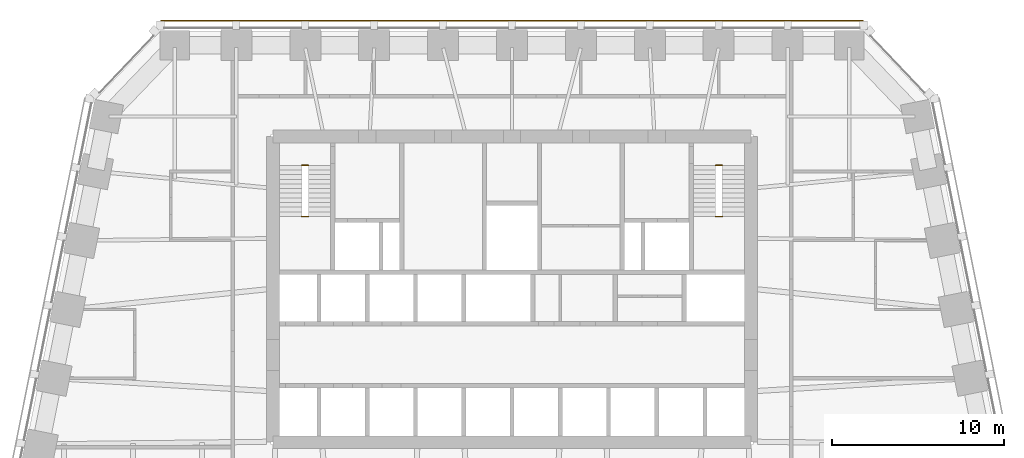
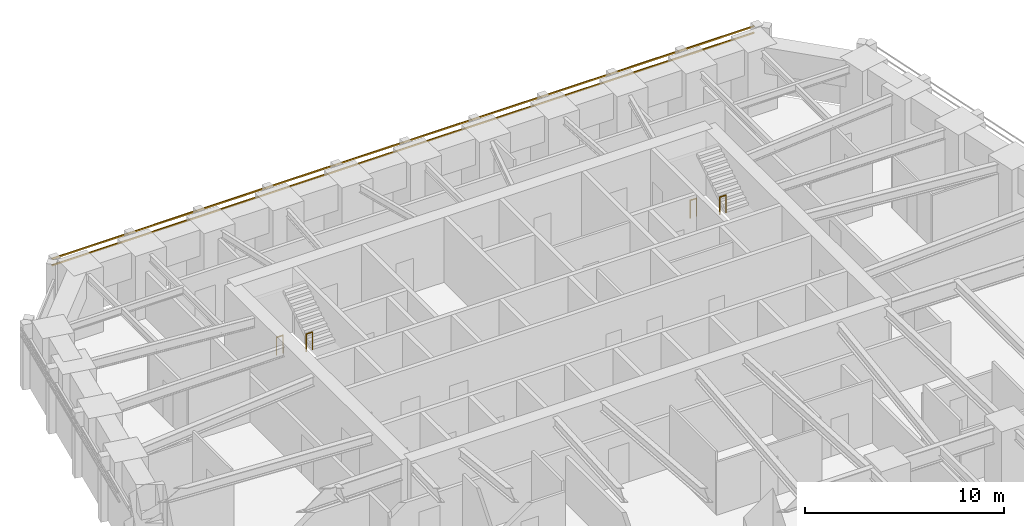
# One storey, part 10 of 10: 4 railings, 2 shading devices.
"""IFC4 building model written with IfcOpenShell, lengths in metres."""

from ifc_helpers import new_model, si_unit, direction, frame, origin, origin_2d, place, context, subcontext, project, spatial, rectangle, circle, extrude, material, material_profile, profile_set, type_object, element, save


model = new_model("IFC4")

# Units and contexts
model_context = context("Model", 3, precision=1e-05, world=origin(), true_north=direction((0.0, 1.0)))
body_context = subcontext(model_context, "Body", "Model", "MODEL_VIEW")
ifc_project = project(units=[si_unit("LENGTHUNIT", "METRE"), si_unit("AREAUNIT", "SQUARE_METRE"), si_unit("VOLUMEUNIT", "CUBIC_METRE"), si_unit("PLANEANGLEUNIT", "RADIAN"), si_unit("MASSUNIT", "GRAM", prefix="KILO")], contexts=[model_context])

# Site, building, storey
site_placement = place(None, origin())
site = spatial("IfcSite", under=ifc_project, at=site_placement, CompositionType="ELEMENT")
building_placement = place(site_placement, origin())
building = spatial("IfcBuilding", under=site, at=building_placement, Name="Isbrekke Arena Tower", CompositionType="ELEMENT")
storey_placement = place(building_placement, frame((0.0, 0.0, 151.0)))
storey = spatial("IfcBuildingStorey", under=building, at=storey_placement, Name="L34", CompositionType="ELEMENT", Elevation=151.0)

# Shading devices
ifc_material_1 = material(Name="Terracotta", Category="masonry")
ifc_material_profile = material_profile(ifc_material_1, rectangle(XDim=0.06005859375, YDim=0.06005859375, at=origin_2d()), Name="BAGUETTE 60X60")
ifc_profile_set = profile_set([ifc_material_profile], Name="Terracotta")
shading_device_type = type_object("IfcShadingDeviceType", Name="BG1 TERRACOTTA BAGUETTE 60 x 60", PredefinedType="USERDEFINED", material=ifc_profile_set)
for number, where, z_axis, x_axis, name in (
    (1, (20.39990234375, 30.60498046875, 3.280029296875), (-1.0, 0.0, 0.0), (0.0, -1.0, 0.0), "BG1 terracotta baguette N1 L34"),
    (2, (20.39990234375, 30.60498046875, 3.679931640625), (-1.0, 0.0, 0.0), (0.0, -1.0, 0.0), "BG1 terracotta baguette N2 L34"),
):
    element("IfcShadingDevice", number, at=place(storey_placement, frame(where, z_axis=z_axis, x_axis=x_axis)), inside=storey, type_object=shading_device_type, Name=name, ObjectType="TERRACOTTA BAGUETTE", PredefinedType="USERDEFINED", context=body_context, shape_type="SweptSolid", body=[
        extrude(rectangle(XDim=0.06005859375, YDim=0.06005859375, at=origin_2d()), origin(), (0.0, 0.0, 1.0), 40.7998046875),
    ])

# Railings
ifc_material_2 = material(Name="Steel stair guard, vertical bars, steel handrail", Category="steel")
railing_type = type_object("IfcRailingType", Name="GR3 STAIR WELL GUARD 1100", PredefinedType="GUARDRAIL", material=ifc_material_2)
for number, where, name in (
    (3, (-12.199951171875, 22.199951171875, 0.0), "GR3 stair well guard ST1 L34"),
    (4, (-12.199951171875, 19.22998046875, 2.0), "GR3 stair well guard ST1 L34"),
    (5, (11.824951171875, 22.199951171875, 0.0), "GR3 stair well guard ST2 L34"),
    (6, (11.824951171875, 19.22998046875, 2.0), "GR3 stair well guard ST2 L34"),
):
    element("IfcRailing", number, at=place(storey_placement, frame(where)), inside=storey, type_object=railing_type, Name=name, PredefinedType="GUARDRAIL", context=body_context, shape_type="SweptSolid", body=[
        extrude(circle(Radius=0.02392578125, at=origin_2d()), frame((0.0, 0.0, 1.076171875), z_axis=(1.0, 0.0, 0.0), x_axis=(0.0, 1.0, 0.0)), (0.0, 0.0, 1.0), 0.375),
        extrude(circle(Radius=0.02099609375, at=origin_2d()), origin(), (0.0, 0.0, 1.0), 1.052001953125),
        extrude(circle(Radius=0.02099609375, at=origin_2d()), frame((0.375, 0.0, 0.0)), (0.0, 0.0, 1.0), 1.052001953125),
    ])

save(model, "model.ifc")
